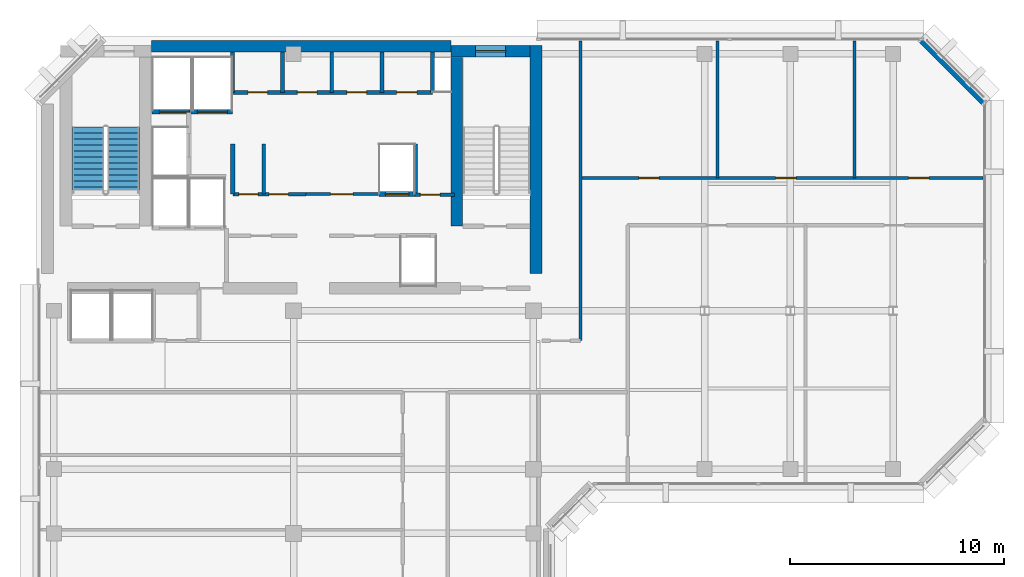
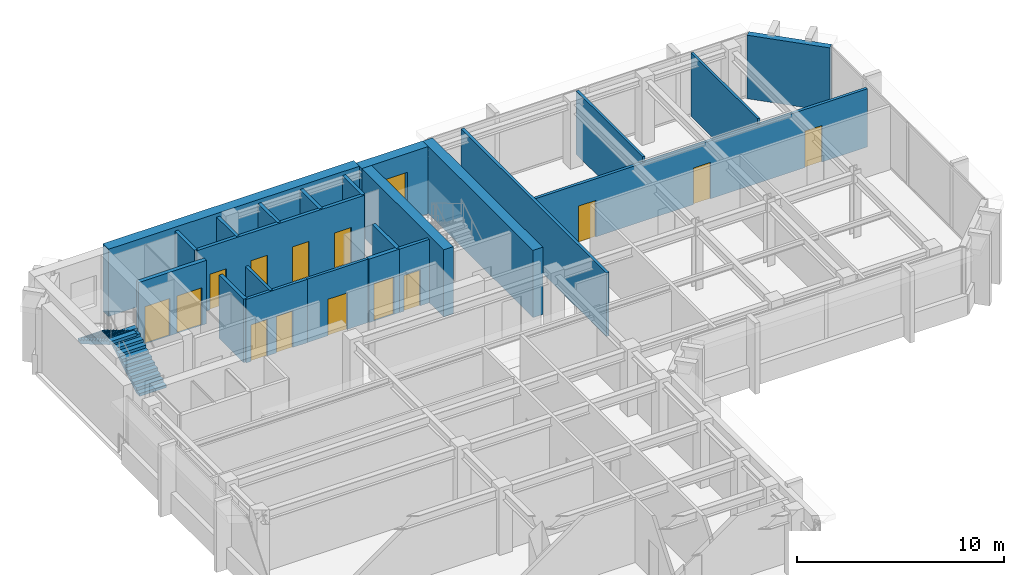
# One storey, part 8 of 13: 23 walls, 14 doors, 2 stair flights, 1 window, 15 openings, 1 element without a shape of its own.
"""IFC4 building model written with IfcOpenShell, lengths in metres."""

from ifc_helpers import new_model, si_unit, direction, frame, frame_2d, origin, place, context, subcontext, project, spatial, polyline, rectangle, outline, extrude, material, layer, layer_set, type_object, element, fill, aggregate, save


model = new_model("IFC4")

# Units and contexts
model_context = context("Model", 3, precision=1e-05, world=origin(), true_north=direction((0.0, 1.0)))
body_context = subcontext(model_context, "Body", "Model", "MODEL_VIEW")
ifc_project = project(units=[si_unit("LENGTHUNIT", "METRE"), si_unit("AREAUNIT", "SQUARE_METRE"), si_unit("VOLUMEUNIT", "CUBIC_METRE"), si_unit("PLANEANGLEUNIT", "RADIAN"), si_unit("MASSUNIT", "GRAM", prefix="KILO")], contexts=[model_context])

# Site, building, storey
site_placement = place(None, origin())
site = spatial("IfcSite", under=ifc_project, at=site_placement, CompositionType="ELEMENT")
building_placement = place(site_placement, origin())
building = spatial("IfcBuilding", under=site, at=building_placement, Name="Kefirva Bronze Tower", CompositionType="ELEMENT")
storey_placement = place(building_placement, frame((0.0, 0.0, 311.85009765625)))
storey = spatial("IfcBuildingStorey", under=building, at=storey_placement, Name="L76", CompositionType="ELEMENT", Elevation=311.85009765625)

# Walls
ifc_material_1 = material(Name="Gypsum acoustic partition")
ifc_layer_1 = layer(ifc_material_1, 0.1298828125, Name="Gypsum acoustic partition")
ifc_layer_set_1 = layer_set([ifc_layer_1], Name="Gypsum acoustic partition")
wall_type_1 = type_object("IfcWallType", Name="Acoustic Office Partition 130mm", PredefinedType="PARTITIONING", material=ifc_layer_set_1)
for number, where, z_axis, x_axis, name in (
    (1, (31.79541015625, 39.39990234375, 0.0), (0.0, 0.0, 1.0), (0.0, 1.0, 0.0), "L76 Partition W-L76-END1"),
    (2, (38.19091796875, 39.39990234375, 0.0), (0.0, 0.0, 1.0), (0.0, 1.0, 0.0), "L76 Partition W-L76-END2"),
):
    element("IfcWall", number, at=place(storey_placement, frame(where, z_axis=z_axis, x_axis=x_axis)), inside=storey, type_object=wall_type_1, Name=name, PredefinedType="PARTITIONING", context=body_context, shape_type="SweptSolid", body=[
        extrude(rectangle(XDim=6.41015625, YDim=0.1298828125, at=frame_2d((3.205078125, 0.0))), origin(), (0.0, 0.0, 1.0), 3.739990234375),
    ])

# Wall, opening, door
ifc_layer_2 = layer(ifc_material_1, 0.14990234375, Name="Gypsum acoustic partition")
ifc_layer_set_2 = layer_set([ifc_layer_2], Name="Gypsum acoustic partition")
wall_type_2 = type_object("IfcWallType", Name="Executive Suite Partition 150mm", PredefinedType="PARTITIONING", material=ifc_layer_set_2)
wall_1_placement = place(storey_placement, frame((12.580078125, 38.64990234375, 0.0), z_axis=(0.0, 0.0, 1.0), x_axis=(1.0, 0.0, 0.0)))
wall_1 = element("IfcWall", 3, at=wall_1_placement, inside=storey, type_object=wall_type_2, Name="L76 Partition W-L76-RECMP2", PredefinedType="PARTITIONING", context=body_context, shape_type="SweptSolid", body=[
    extrude(rectangle(XDim=3.3798828125, YDim=0.14990234375, at=frame_2d((1.68994140625, 0.0))), origin(), (0.0, 0.0, 1.0), 3.739990234375),
])
opening_1_placement = place(wall_1_placement, frame((2.199951171875, 0.0, 0.0), z_axis=(0.0, 0.0, 1.0), x_axis=(-1.0, 0.0, 0.0)))
opening_1 = element("IfcOpeningElement", 4, at=opening_1_placement, cuts=wall_1, Name="Opening L76-D-RECMP2", PredefinedType="OPENING", context=body_context, shape_type="SweptSolid", body=[
    extrude(rectangle(XDim=1.050048828125, YDim=2.14990234375, at=frame_2d((0.52490234375, 1.074951171875))), frame((0.0, 0.0849609375, 0.0), z_axis=(0.0, -1.0, 0.0), x_axis=(1.0, 0.0, 0.0)), (0.0, 0.0, 1.0), 0.169921875),
])
ifc_material_2 = material(Name="Acoustic hardwood oak", Category="wood")
door_type_1 = type_object("IfcDoorType", Name="Executive & Boardroom Door 1050x2150", OperationType="NOTDEFINED", PredefinedType="DOOR", material=ifc_material_2)
door_1_placement = place(opening_1_placement, origin())
door_1 = element("IfcDoor", 5, at=door_1_placement, inside=storey, type_object=door_type_1, Name="Door L76-D-RECMP2", OperationType="SINGLE_SWING_RIGHT", OverallHeight=2.14990234375, OverallWidth=1.050048828125, PredefinedType="DOOR", context=body_context, shape_type="SweptSolid", body=[
    extrude(rectangle(XDim=1.050048828125, YDim=2.14990234375, at=frame_2d((0.52490234375, 1.074951171875))), frame((0.0, 0.02490234375, 0.0), z_axis=(0.0, -1.0, 0.0), x_axis=(1.0, 0.0, 0.0)), (0.0, 0.0, 1.0), 0.050048828125),
])
fill(opening_1, door_1)

# Wall, openings, doors
ifc_material_3 = material(Name="Gypsum fireboard shaftwall")
ifc_layer_3 = layer(ifc_material_3, 0.219970703125, Name="Gypsum fireboard shaftwall")
ifc_layer_set_3 = layer_set([ifc_layer_3], Name="Gypsum fireboard shaftwall")
wall_type_3 = type_object("IfcWallType", Name="Fire-Rated Shaft Enclosure Wall 220mm", PredefinedType="PARTITIONING", material=ifc_layer_set_3)
wall_2_placement = place(storey_placement, frame((5.3798828125, 42.5, 0.0), z_axis=(0.0, 0.0, 1.0), x_axis=(1.0, 0.0, 0.0)))
wall_2 = element("IfcWall", 6, at=wall_2_placement, inside=storey, type_object=wall_type_3, Name="L76 Partition W-L76-SVS", PredefinedType="PARTITIONING", context=body_context, shape_type="SweptSolid", body=[
    extrude(rectangle(XDim=3.77001953125, YDim=0.219970703125, at=frame_2d((1.885009765625, 0.0))), origin(), (0.0, 0.0, 1.0), 3.739990234375),
])
opening_2_placement = place(wall_2_placement, frame((1.75, 0.0, 0.0), z_axis=(0.0, 0.0, 1.0), x_axis=(-1.0, 0.0, 0.0)))
opening_2 = element("IfcOpeningElement", 7, at=opening_2_placement, cuts=wall_2, Name="Opening L76-LD-SV1", PredefinedType="OPENING", context=body_context, shape_type="SweptSolid", body=[
    extrude(rectangle(XDim=1.39990234375, YDim=2.199951171875, at=frame_2d((0.699951171875, 1.10009765625))), frame((0.0, 0.1201171875, 0.0), z_axis=(0.0, -1.0, 0.0), x_axis=(1.0, 0.0, 0.0)), (0.0, 0.0, 1.0), 0.239990234375),
])
opening_3_placement = place(wall_2_placement, frame((3.52978515625, 0.0, 0.0), z_axis=(0.0, 0.0, 1.0), x_axis=(-1.0, 0.0, 0.0)))
opening_3 = element("IfcOpeningElement", 8, at=opening_3_placement, cuts=wall_2, Name="Opening L76-LD-SV2", PredefinedType="OPENING", context=body_context, shape_type="SweptSolid", body=[
    extrude(rectangle(XDim=1.39990234375, YDim=2.199951171875, at=frame_2d((0.699951171875, 1.10009765625))), frame((0.0, 0.1201171875, 0.0), z_axis=(0.0, -1.0, 0.0), x_axis=(1.0, 0.0, 0.0)), (0.0, 0.0, 1.0), 0.239990234375),
])
ifc_material_4 = material(Name="Stainless steel 316", Category="steel")
door_type_2 = type_object("IfcDoorType", Name="Goods Lift Bi-Parting Sliding Door 1400x2200", OperationType="SLIDING_TO_LEFT", PredefinedType="DOOR", material=ifc_material_4)
door_2_placement = place(opening_2_placement, origin())
door_2 = element("IfcDoor", 9, at=door_2_placement, inside=storey, type_object=door_type_2, Name="Door L76-LD-SV1", OperationType="SLIDING_TO_LEFT", OverallHeight=2.199951171875, OverallWidth=1.39990234375, PredefinedType="DOOR", context=body_context, shape_type="SweptSolid", body=[
    extrude(rectangle(XDim=1.39990234375, YDim=2.199951171875, at=frame_2d((0.699951171875, 1.10009765625))), frame((0.0, 0.02490234375, 0.0), z_axis=(0.0, -1.0, 0.0), x_axis=(1.0, 0.0, 0.0)), (0.0, 0.0, 1.0), 0.050048828125),
])
fill(opening_2, door_2)
door_3_placement = place(opening_3_placement, origin())
door_3 = element("IfcDoor", 10, at=door_3_placement, inside=storey, type_object=door_type_2, Name="Door L76-LD-SV2", OperationType="SLIDING_TO_LEFT", OverallHeight=2.199951171875, OverallWidth=1.39990234375, PredefinedType="DOOR", context=body_context, shape_type="SweptSolid", body=[
    extrude(rectangle(XDim=1.39990234375, YDim=2.199951171875, at=frame_2d((0.699951171875, 1.10009765625))), frame((0.0, 0.02490234375, 0.0), z_axis=(0.0, -1.0, 0.0), x_axis=(1.0, 0.0, 0.0)), (0.0, 0.0, 1.0), 0.050048828125),
])
fill(opening_3, door_3)

# Walls
for number, where, z_axis, x_axis, name in (
    (11, (9.159912109375, 38.64990234375, 0.0), (0.0, 0.0, 1.0), (0.0, 1.0, 0.0), "L76 Partition W-L76-LP3W"),
    (12, (17.679931640625, 38.64990234375, 0.0), (0.0, 0.0, 1.0), (0.0, 1.0, 0.0), "L76 Partition W-L76-HP2E"),
):
    element("IfcWall", number, at=place(storey_placement, frame(where, z_axis=z_axis, x_axis=x_axis)), inside=storey, type_object=wall_type_3, Name=name, PredefinedType="PARTITIONING", context=body_context, shape_type="SweptSolid", body=[
        extrude(rectangle(XDim=2.35009765625, YDim=0.199951171875, at=frame_2d((1.175048828125, 0.0))), origin(), (0.0, 0.0, 1.0), 3.739990234375),
    ])

# Wall, opening, door
wall_3_placement = place(storey_placement, frame((15.97998046875, 38.64990234375, 0.0), z_axis=(0.0, 0.0, 1.0), x_axis=(1.0, 0.0, 0.0)))
wall_3 = element("IfcWall", 13, at=wall_3_placement, inside=storey, type_object=wall_type_3, Name="L76 Partition W-L76-HPN", PredefinedType="PARTITIONING", context=body_context, shape_type="SweptSolid", body=[
    extrude(rectangle(XDim=1.719970703125, YDim=0.219970703125, at=frame_2d((0.85986328125, 0.0))), origin(), (0.0, 0.0, 1.0), 3.739990234375),
])
opening_4_placement = place(wall_3_placement, frame((0.300048828125, 0.0, 0.0)))
opening_4 = element("IfcOpeningElement", 14, at=opening_4_placement, cuts=wall_3, Name="Opening L76-LD-HP2", PredefinedType="OPENING", context=body_context, shape_type="SweptSolid", body=[
    extrude(rectangle(XDim=1.10009765625, YDim=2.199951171875, at=frame_2d((0.550048828125, 1.10009765625))), frame((0.0, 0.1201171875, 0.0), z_axis=(0.0, -1.0, 0.0), x_axis=(1.0, 0.0, 0.0)), (0.0, 0.0, 1.0), 0.239990234375),
])
door_type_3 = type_object("IfcDoorType", Name="Passenger Lift Sliding Landing Door 1100x2200", OperationType="SLIDING_TO_LEFT", PredefinedType="DOOR", material=ifc_material_4)
door_4_placement = place(opening_4_placement, origin())
door_4 = element("IfcDoor", 15, at=door_4_placement, inside=storey, type_object=door_type_3, Name="Door L76-LD-HP2", OperationType="SLIDING_TO_LEFT", OverallHeight=2.199951171875, OverallWidth=1.10009765625, PredefinedType="DOOR", context=body_context, shape_type="SweptSolid", body=[
    extrude(rectangle(XDim=1.10009765625, YDim=2.199951171875, at=frame_2d((0.550048828125, 1.10009765625))), frame((0.0, 0.02490234375, 0.0), z_axis=(0.0, -1.0, 0.0), x_axis=(1.0, 0.0, 0.0)), (0.0, 0.0, 1.0), 0.050048828125),
])
fill(opening_4, door_4)

ifc_material_5 = material(Name="Gypsum fireboard barrier")
ifc_layer_4 = layer(ifc_material_5, 0.199951171875, Name="Gypsum fireboard barrier")
ifc_layer_set_4 = layer_set([ifc_layer_4], Name="Gypsum fireboard barrier")
wall_type_4 = type_object("IfcWallType", Name="Firefighting Lobby Barrier Wall 200mm", PredefinedType="PARTITIONING", material=ifc_layer_set_4)
wall_4_placement = place(storey_placement, frame((17.679931640625, 38.6201171875, 0.0), z_axis=(0.0, 0.0, 1.0), x_axis=(1.0, 0.0, 0.0)))
wall_4 = element("IfcWall", 16, at=wall_4_placement, inside=storey, type_object=wall_type_4, Name="L76 Partition W-L76-CPASS", PredefinedType="PARTITIONING", context=body_context, shape_type="SweptSolid", body=[
    extrude(rectangle(XDim=1.840087890625, YDim=0.179931640625, at=frame_2d((0.919921875, 0.0))), origin(), (0.0, 0.0, 1.0), 3.739990234375),
])
opening_5_placement = place(wall_4_placement, frame((0.239990234375, 0.0, 0.0)))
opening_5 = element("IfcOpeningElement", 17, at=opening_5_placement, cuts=wall_4, Name="Opening L76-D-CPAS", PredefinedType="OPENING", context=body_context, shape_type="SweptSolid", body=[
    extrude(rectangle(XDim=0.919921875, YDim=2.10009765625, at=frame_2d((0.4599609375, 1.050048828125))), frame((0.0, 0.10009765625, 0.0), z_axis=(0.0, -1.0, 0.0), x_axis=(1.0, 0.0, 0.0)), (0.0, 0.0, 1.0), 0.199951171875),
])
ifc_material_6 = material(Name="Moisture-resistant timber", Category="wood")
door_type_4 = type_object("IfcDoorType", Name="Accessible Sanitary & WC Door 920x2100", OperationType="NOTDEFINED", PredefinedType="DOOR", material=ifc_material_6)
door_5_placement = place(opening_5_placement, origin())
door_5 = element("IfcDoor", 18, at=door_5_placement, inside=storey, type_object=door_type_4, Name="Door L76-D-CPAS", OperationType="SINGLE_SWING_RIGHT", OverallHeight=2.10009765625, OverallWidth=0.919921875, PredefinedType="DOOR", context=body_context, shape_type="SweptSolid", body=[
    extrude(rectangle(XDim=0.919921875, YDim=2.10009765625, at=frame_2d((0.4599609375, 1.050048828125))), frame((0.0, 0.02490234375, 0.0), z_axis=(0.0, -1.0, 0.0), x_axis=(1.0, 0.0, 0.0)), (0.0, 0.0, 1.0), 0.050048828125),
])
fill(opening_5, door_5)

# Wall
ifc_material_7 = material(Name="Precast concrete C40/50", Category="concrete")
ifc_layer_5 = layer(ifc_material_7, 0.320068359375, Name="Precast concrete C40/50")
ifc_layer_set_5 = layer_set([ifc_layer_5], Name="Precast concrete C40/50")
wall_type_5 = type_object("IfcWallType", Name="Precast Insulated Exterior Wall 320mm", PredefinedType="SOLIDWALL", material=ifc_layer_set_5)
wall_5_placement = place(storey_placement, frame((44.248046875, 42.92578125, 0.0), z_axis=(0.0, 0.0, 1.0), x_axis=(-0.707136318428, 0.707077242712, 0.0)))
element("IfcWall", 19, at=wall_5_placement, inside=storey, type_object=wall_type_5, Name="L76 Exterior Facade Wall 8", PredefinedType="SOLIDWALL", context=body_context, shape_type="SweptSolid", body=[
    extrude(rectangle(XDim=4.132568359375, YDim=0.320068359375, at=frame_2d((2.06640625, 0.0))), origin(), (0.0, 0.0, 1.0), 3.739990234375),
])

# Wall, openings, doors
ifc_layer_6 = layer(ifc_material_1, 0.159912109375, Name="Gypsum acoustic partition")
ifc_layer_set_6 = layer_set([ifc_layer_6], Name="Gypsum acoustic partition")
wall_type_6 = type_object("IfcWallType", Name="Protected Corridor Partition 160mm", PredefinedType="PARTITIONING", material=ifc_layer_set_6)
wall_6_placement = place(storey_placement, frame((9.159912109375, 38.64990234375, 0.0), z_axis=(0.0, 0.0, 1.0), x_axis=(1.0, 0.0, 0.0)))
wall_6 = element("IfcWall", 20, at=wall_6_placement, inside=storey, type_object=wall_type_6, Name="L76 Partition W-L76-RECLP2", PredefinedType="PARTITIONING", context=body_context, shape_type="SweptSolid", body=[
    extrude(rectangle(XDim=3.420166015625, YDim=0.159912109375, at=frame_2d((1.7099609375, 0.0))), origin(), (0.0, 0.0, 1.0), 3.739990234375),
])
opening_6_placement = place(wall_6_placement, frame((1.179931640625, 0.0, 0.0), z_axis=(0.0, 0.0, 1.0), x_axis=(-1.0, 0.0, 0.0)))
opening_6 = element("IfcOpeningElement", 21, at=opening_6_placement, cuts=wall_6, Name="Opening L76-D-RECLP2A", PredefinedType="OPENING", context=body_context, shape_type="SweptSolid", body=[
    extrude(rectangle(XDim=0.89990234375, YDim=2.14990234375, at=frame_2d((0.449951171875, 1.074951171875))), frame((0.0, 0.08984375, 0.0), z_axis=(0.0, -1.0, 0.0), x_axis=(1.0, 0.0, 0.0)), (0.0, 0.0, 1.0), 0.179931640625),
])
opening_7_placement = place(wall_6_placement, frame((2.599853515625, 0.0, 0.0), z_axis=(0.0, 0.0, 1.0), x_axis=(-1.0, 0.0, 0.0)))
opening_7 = element("IfcOpeningElement", 22, at=opening_7_placement, cuts=wall_6, Name="Opening L76-D-RECLP2B", PredefinedType="OPENING", context=body_context, shape_type="SweptSolid", body=[
    extrude(rectangle(XDim=0.89990234375, YDim=2.14990234375, at=frame_2d((0.449951171875, 1.074951171875))), frame((0.0, 0.08984375, 0.0), z_axis=(0.0, -1.0, 0.0), x_axis=(1.0, 0.0, 0.0)), (0.0, 0.0, 1.0), 0.179931640625),
])
ifc_material_8 = material(Name="Painted galvanized steel", Category="steel")
door_type_5 = type_object("IfcDoorType", Name="Core Archive & Server Fire Door 900x2150 FD60S", OperationType="NOTDEFINED", PredefinedType="DOOR", material=ifc_material_8)
door_6_placement = place(opening_6_placement, origin())
door_6 = element("IfcDoor", 23, at=door_6_placement, inside=storey, type_object=door_type_5, Name="Door L76-D-RECLP2A", OperationType="SINGLE_SWING_LEFT", OverallHeight=2.14990234375, OverallWidth=0.89990234375, PredefinedType="DOOR", context=body_context, shape_type="SweptSolid", body=[
    extrude(rectangle(XDim=0.89990234375, YDim=2.14990234375, at=frame_2d((0.449951171875, 1.074951171875))), frame((0.0, 0.02490234375, 0.0), z_axis=(0.0, -1.0, 0.0), x_axis=(1.0, 0.0, 0.0)), (0.0, 0.0, 1.0), 0.050048828125),
])
fill(opening_6, door_6)
door_7_placement = place(opening_7_placement, origin())
door_7 = element("IfcDoor", 24, at=door_7_placement, inside=storey, type_object=door_type_5, Name="Door L76-D-RECLP2B", OperationType="SINGLE_SWING_RIGHT", OverallHeight=2.14990234375, OverallWidth=0.89990234375, PredefinedType="DOOR", context=body_context, shape_type="SweptSolid", body=[
    extrude(rectangle(XDim=0.89990234375, YDim=2.14990234375, at=frame_2d((0.449951171875, 1.074951171875))), frame((0.0, 0.02490234375, 0.0), z_axis=(0.0, -1.0, 0.0), x_axis=(1.0, 0.0, 0.0)), (0.0, 0.0, 1.0), 0.050048828125),
])
fill(opening_7, door_7)

# Walls
wall_7_placement = place(storey_placement, frame((10.60009765625, 38.64990234375, 0.0), z_axis=(0.0, 0.0, 1.0), x_axis=(0.0, 1.0, 0.0)))
element("IfcWall", 25, at=wall_7_placement, inside=storey, type_object=wall_type_6, Name="L76 Partition W-L76-RECLP2D", PredefinedType="PARTITIONING", context=body_context, shape_type="SweptSolid", body=[
    extrude(rectangle(XDim=2.35009765625, YDim=0.159912109375, at=frame_2d((1.175048828125, 0.0))), origin(), (0.0, 0.0, 1.0), 3.739990234375),
])
wall_8_placement = place(storey_placement, frame((25.39990234375, 31.800048828125, 0.0), z_axis=(0.0, 0.0, 1.0), x_axis=(0.0, 1.0, 0.0)))
element("IfcWall", 26, at=wall_8_placement, inside=storey, type_object=wall_type_6, Name="L76 Partition W-L76-ELKW", PredefinedType="PARTITIONING", context=body_context, shape_type="SweptSolid", body=[
    extrude(rectangle(XDim=14.010009765625, YDim=0.159912109375, at=frame_2d((7.0048828125, 0.0))), origin(), (0.0, 0.0, 1.0), 3.739990234375),
])

# Wall, openings, doors
wall_9_placement = place(storey_placement, frame((25.39990234375, 39.39990234375, 0.0), z_axis=(0.0, 0.0, 1.0), x_axis=(1.0, 0.0, 0.0)))
wall_9 = element("IfcWall", 27, at=wall_9_placement, inside=storey, type_object=wall_type_6, Name="L76 Partition W-L76-ECN", PredefinedType="PARTITIONING", context=body_context, shape_type="SweptSolid", body=[
    extrude(rectangle(XDim=18.81005859375, YDim=0.159912109375, at=frame_2d((9.405029296875, 0.0))), origin(), (0.0, 0.0, 1.0), 3.4248046875),
])
opening_8_placement = place(wall_9_placement, frame((2.72265625, 0.0, 0.0)))
opening_8 = element("IfcOpeningElement", 28, at=opening_8_placement, cuts=wall_9, Name="Opening L76-D-EN1", PredefinedType="OPENING", context=body_context, shape_type="SweptSolid", body=[
    extrude(rectangle(XDim=0.949951171875, YDim=2.14990234375, at=frame_2d((0.47509765625, 1.074951171875))), frame((0.0, 0.08984375, 0.0), z_axis=(0.0, -1.0, 0.0), x_axis=(1.0, 0.0, 0.0)), (0.0, 0.0, 1.0), 0.179931640625),
])
opening_9_placement = place(wall_9_placement, frame((9.1181640625, 0.0, 0.0)))
opening_9 = element("IfcOpeningElement", 29, at=opening_9_placement, cuts=wall_9, Name="Opening L76-D-EN2", PredefinedType="OPENING", context=body_context, shape_type="SweptSolid", body=[
    extrude(rectangle(XDim=0.949951171875, YDim=2.14990234375, at=frame_2d((0.47509765625, 1.074951171875))), frame((0.0, 0.08984375, 0.0), z_axis=(0.0, -1.0, 0.0), x_axis=(1.0, 0.0, 0.0)), (0.0, 0.0, 1.0), 0.179931640625),
])
opening_10_placement = place(wall_9_placement, frame((15.325439453125, 0.0, 0.0)))
opening_10 = element("IfcOpeningElement", 30, at=opening_10_placement, cuts=wall_9, Name="Opening L76-D-EN3", PredefinedType="OPENING", context=body_context, shape_type="SweptSolid", body=[
    extrude(rectangle(XDim=0.949951171875, YDim=2.14990234375, at=frame_2d((0.47509765625, 1.074951171875))), frame((0.0, 0.08984375, 0.0), z_axis=(0.0, -1.0, 0.0), x_axis=(1.0, 0.0, 0.0)), (0.0, 0.0, 1.0), 0.179931640625),
])
door_type_6 = type_object("IfcDoorType", Name="Office & Meeting Room Door 950x2150", OperationType="NOTDEFINED", PredefinedType="DOOR", material=ifc_material_2)
door_8_placement = place(opening_8_placement, origin())
door_8 = element("IfcDoor", 31, at=door_8_placement, inside=storey, type_object=door_type_6, Name="Door L76-D-EN1", OperationType="SINGLE_SWING_RIGHT", OverallHeight=2.14990234375, OverallWidth=0.949951171875, PredefinedType="DOOR", context=body_context, shape_type="SweptSolid", body=[
    extrude(rectangle(XDim=0.949951171875, YDim=2.14990234375, at=frame_2d((0.47509765625, 1.074951171875))), frame((0.0, 0.02490234375, 0.0), z_axis=(0.0, -1.0, 0.0), x_axis=(1.0, 0.0, 0.0)), (0.0, 0.0, 1.0), 0.050048828125),
])
fill(opening_8, door_8)
door_9_placement = place(opening_9_placement, origin())
door_9 = element("IfcDoor", 32, at=door_9_placement, inside=storey, type_object=door_type_6, Name="Door L76-D-EN2", OperationType="SINGLE_SWING_LEFT", OverallHeight=2.14990234375, OverallWidth=0.949951171875, PredefinedType="DOOR", context=body_context, shape_type="SweptSolid", body=[
    extrude(rectangle(XDim=0.949951171875, YDim=2.14990234375, at=frame_2d((0.47509765625, 1.074951171875))), frame((0.0, 0.02490234375, 0.0), z_axis=(0.0, -1.0, 0.0), x_axis=(1.0, 0.0, 0.0)), (0.0, 0.0, 1.0), 0.050048828125),
])
fill(opening_9, door_9)
door_10_placement = place(opening_10_placement, origin())
door_10 = element("IfcDoor", 33, at=door_10_placement, inside=storey, type_object=door_type_6, Name="Door L76-D-EN3", OperationType="SINGLE_SWING_RIGHT", OverallHeight=2.14990234375, OverallWidth=0.949951171875, PredefinedType="DOOR", context=body_context, shape_type="SweptSolid", body=[
    extrude(rectangle(XDim=0.949951171875, YDim=2.14990234375, at=frame_2d((0.47509765625, 1.074951171875))), frame((0.0, 0.02490234375, 0.0), z_axis=(0.0, -1.0, 0.0), x_axis=(1.0, 0.0, 0.0)), (0.0, 0.0, 1.0), 0.050048828125),
])
fill(opening_10, door_10)

# Wall
ifc_material_9 = material(Name="Concrete C50/60", Category="concrete")
ifc_layer_7 = layer(ifc_material_9, 0.550048828125, Name="Concrete C50/60")
ifc_layer_set_7 = layer_set([ifc_layer_7], Name="Concrete C50/60")
wall_type_7 = type_object("IfcWallType", Name="RC Rear Core Exterior Wall 550mm", PredefinedType="SHEAR", material=ifc_layer_set_7)
wall_10_placement = place(storey_placement, frame((5.360107421875, 45.550048828125, 0.0), z_axis=(0.0, 0.0, 1.0), x_axis=(1.0, 0.0, 0.0)))
element("IfcWall", 34, at=wall_10_placement, inside=storey, type_object=wall_type_7, Name="L76 Rear Core North Shear Wall", PredefinedType="SHEAR", context=body_context, shape_type="SweptSolid", body=[
    extrude(rectangle(XDim=13.97998046875, YDim=0.550048828125, at=frame_2d((6.989990234375, 0.0))), origin(), (0.0, 0.0, 1.0), 3.9599609375),
])

# Wall, opening, window
wall_11_placement = place(storey_placement, frame((19.35009765625, 45.320068359375, 0.0), z_axis=(0.0, 0.0, 1.0), x_axis=(1.0, 0.0, 0.0)))
wall_11 = element("IfcWall", 35, at=wall_11_placement, inside=storey, type_object=wall_type_7, Name="L76 Stair 2 North Shear Wall", PredefinedType="SHEAR", context=body_context, shape_type="SweptSolid", body=[
    extrude(rectangle(XDim=3.68994140625, YDim=0.550048828125, at=frame_2d((1.844970703125, 0.0))), origin(), (0.0, 0.0, 1.0), 3.9599609375),
])
opening_11_placement = place(wall_11_placement, frame((1.14990234375, 0.0, 1.050048828125)))
opening_11 = element("IfcOpeningElement", 36, at=opening_11_placement, cuts=wall_11, Name="Opening WN-03", PredefinedType="OPENING", context=body_context, shape_type="SweptSolid", body=[
    extrude(rectangle(XDim=1.39990234375, YDim=1.800048828125, at=frame_2d((0.699951171875, 0.89990234375))), frame((0.0, 0.28515625, 0.0), z_axis=(0.0, -1.0, 0.0), x_axis=(1.0, 0.0, 0.0)), (0.0, 0.0, 1.0), 0.570068359375),
])
ifc_material_10 = material(Name="Laminated low-E double glazing", Category="glass")
window_type = type_object("IfcWindowType", Name="Rear-Core Stair Daylight Window 1400x1800", PartitioningType="SINGLE_PANEL", PredefinedType="WINDOW", material=ifc_material_10)
window_placement = place(opening_11_placement, origin())
window = element("IfcWindow", 37, at=window_placement, inside=storey, type_object=window_type, Name="L76 Stair 2 Daylight Window", OverallHeight=1.800048828125, OverallWidth=1.39990234375, PartitioningType="SINGLE_PANEL", PredefinedType="WINDOW", context=body_context, shape_type="SweptSolid", body=[
    extrude(rectangle(XDim=1.39990234375, YDim=1.800048828125, at=frame_2d((0.699951171875, 0.89990234375))), frame((0.0, 0.030029296875, 0.0), z_axis=(0.0, -1.0, 0.0), x_axis=(1.0, 0.0, 0.0)), (0.0, 0.0, 1.0), 0.06005859375),
])
fill(opening_11, window)

# Walls
ifc_layer_8 = layer(ifc_material_9, 0.550048828125, Name="Concrete C50/60")
ifc_layer_set_8 = layer_set([ifc_layer_8], Name="Concrete C50/60")
wall_type_8 = type_object("IfcWallType", Name="RC Rear Core Interior Wall 550mm", PredefinedType="SHEAR", material=ifc_layer_set_8)
wall_12_placement = place(storey_placement, frame((23.324951171875, 34.949951171875, 0.0), z_axis=(0.0, 0.0, 1.0), x_axis=(0.0, 1.0, 0.0)))
element("IfcWall", 38, at=wall_12_placement, inside=storey, type_object=wall_type_8, Name="L76 Rear Core East Shear Wall", PredefinedType="SHEAR", context=body_context, shape_type="SweptSolid", body=[
    extrude(rectangle(XDim=10.64013671875, YDim=0.550048828125, at=frame_2d((5.320068359375, 0.0))), origin(), (0.0, 0.0, 1.0), 3.9599609375),
])
wall_13_placement = place(storey_placement, frame((19.6201171875, 37.14990234375, 0.0), z_axis=(0.0, 0.0, 1.0), x_axis=(0.0, 1.0, 0.0)))
element("IfcWall", 39, at=wall_13_placement, inside=storey, type_object=wall_type_8, Name="L76 Stair 2 West Shear Wall", PredefinedType="SHEAR", context=body_context, shape_type="SweptSolid", body=[
    extrude(rectangle(XDim=7.89013671875, YDim=0.550048828125, at=frame_2d((3.945068359375, 0.0))), origin(), (0.0, 0.0, 1.0), 3.9599609375),
])

# Wall, openings, doors
ifc_material_11 = material(Name="Moisture-resistant partition")
ifc_layer_9 = layer(ifc_material_11, 0.179931640625, Name="Moisture-resistant partition")
ifc_layer_set_9 = layer_set([ifc_layer_9], Name="Moisture-resistant partition")
wall_type_9 = type_object("IfcWallType", Name="Sanitary Plumbing Chase Wall 180mm", PredefinedType="PLUMBINGWALL", material=ifc_layer_set_9)
wall_14_placement = place(storey_placement, frame((9.14990234375, 43.39990234375, 0.0), z_axis=(0.0, 0.0, 1.0), x_axis=(1.0, 0.0, 0.0)))
wall_14 = element("IfcWall", 40, at=wall_14_placement, inside=storey, type_object=wall_type_9, Name="L76 Partition W-L76-SVCS", PredefinedType="PLUMBINGWALL", context=body_context, shape_type="SweptSolid", body=[
    extrude(rectangle(XDim=9.330078125, YDim=0.179931640625, at=frame_2d((4.6650390625, 0.0))), origin(), (0.0, 0.0, 1.0), 3.739990234375),
])
opening_12_placement = place(wall_14_placement, frame((0.719970703125, 0.0, 0.0)))
opening_12 = element("IfcOpeningElement", 41, at=opening_12_placement, cuts=wall_14, Name="Opening L76-D-CSVC1", PredefinedType="OPENING", context=body_context, shape_type="SweptSolid", body=[
    extrude(rectangle(XDim=0.919921875, YDim=2.10009765625, at=frame_2d((0.4599609375, 1.050048828125))), frame((0.0, 0.10009765625, 0.0), z_axis=(0.0, -1.0, 0.0), x_axis=(1.0, 0.0, 0.0)), (0.0, 0.0, 1.0), 0.199951171875),
])
opening_13_placement = place(wall_14_placement, frame((3.02001953125, 0.0, 0.0)))
opening_13 = element("IfcOpeningElement", 42, at=opening_13_placement, cuts=wall_14, Name="Opening L76-D-CSVC2", PredefinedType="OPENING", context=body_context, shape_type="SweptSolid", body=[
    extrude(rectangle(XDim=0.919921875, YDim=2.10009765625, at=frame_2d((0.4599609375, 1.050048828125))), frame((0.0, 0.10009765625, 0.0), z_axis=(0.0, -1.0, 0.0), x_axis=(1.0, 0.0, 0.0)), (0.0, 0.0, 1.0), 0.199951171875),
])
opening_14_placement = place(wall_14_placement, frame((5.340087890625, 0.0, 0.0)))
opening_14 = element("IfcOpeningElement", 43, at=opening_14_placement, cuts=wall_14, Name="Opening L76-D-CSVC3", PredefinedType="OPENING", context=body_context, shape_type="SweptSolid", body=[
    extrude(rectangle(XDim=0.919921875, YDim=2.10009765625, at=frame_2d((0.4599609375, 1.050048828125))), frame((0.0, 0.10009765625, 0.0), z_axis=(0.0, -1.0, 0.0), x_axis=(1.0, 0.0, 0.0)), (0.0, 0.0, 1.0), 0.199951171875),
])
opening_15_placement = place(wall_14_placement, frame((7.659912109375, 0.0, 0.0)))
opening_15 = element("IfcOpeningElement", 44, at=opening_15_placement, cuts=wall_14, Name="Opening L76-D-CSVC4", PredefinedType="OPENING", context=body_context, shape_type="SweptSolid", body=[
    extrude(rectangle(XDim=0.949951171875, YDim=2.10009765625, at=frame_2d((0.47509765625, 1.050048828125))), frame((0.0, 0.10009765625, 0.0), z_axis=(0.0, -1.0, 0.0), x_axis=(1.0, 0.0, 0.0)), (0.0, 0.0, 1.0), 0.199951171875),
])
door_11_placement = place(opening_12_placement, origin())
door_11 = element("IfcDoor", 45, at=door_11_placement, inside=storey, type_object=door_type_4, Name="Door L76-D-CSVC1", OperationType="SINGLE_SWING_LEFT", OverallHeight=2.10009765625, OverallWidth=0.919921875, PredefinedType="DOOR", context=body_context, shape_type="SweptSolid", body=[
    extrude(rectangle(XDim=0.919921875, YDim=2.10009765625, at=frame_2d((0.4599609375, 1.050048828125))), frame((0.0, 0.02490234375, 0.0), z_axis=(0.0, -1.0, 0.0), x_axis=(1.0, 0.0, 0.0)), (0.0, 0.0, 1.0), 0.050048828125),
])
fill(opening_12, door_11)
door_12_placement = place(opening_13_placement, origin())
door_12 = element("IfcDoor", 46, at=door_12_placement, inside=storey, type_object=door_type_4, Name="Door L76-D-CSVC2", OperationType="SINGLE_SWING_RIGHT", OverallHeight=2.10009765625, OverallWidth=0.919921875, PredefinedType="DOOR", context=body_context, shape_type="SweptSolid", body=[
    extrude(rectangle(XDim=0.919921875, YDim=2.10009765625, at=frame_2d((0.4599609375, 1.050048828125))), frame((0.0, 0.02490234375, 0.0), z_axis=(0.0, -1.0, 0.0), x_axis=(1.0, 0.0, 0.0)), (0.0, 0.0, 1.0), 0.050048828125),
])
fill(opening_13, door_12)
door_13_placement = place(opening_14_placement, origin())
door_13 = element("IfcDoor", 47, at=door_13_placement, inside=storey, type_object=door_type_4, Name="Door L76-D-CSVC3", OperationType="SINGLE_SWING_LEFT", OverallHeight=2.10009765625, OverallWidth=0.919921875, PredefinedType="DOOR", context=body_context, shape_type="SweptSolid", body=[
    extrude(rectangle(XDim=0.919921875, YDim=2.10009765625, at=frame_2d((0.4599609375, 1.050048828125))), frame((0.0, 0.02490234375, 0.0), z_axis=(0.0, -1.0, 0.0), x_axis=(1.0, 0.0, 0.0)), (0.0, 0.0, 1.0), 0.050048828125),
])
fill(opening_14, door_13)
door_type_7 = type_object("IfcDoorType", Name="Riser & Plant Shaft Fire Door 950x2100 FD60S", OperationType="NOTDEFINED", PredefinedType="DOOR", material=ifc_material_8)
door_14_placement = place(opening_15_placement, origin())
door_14 = element("IfcDoor", 48, at=door_14_placement, inside=storey, type_object=door_type_7, Name="Door L76-D-CSVC4", OperationType="SINGLE_SWING_RIGHT", OverallHeight=2.10009765625, OverallWidth=0.949951171875, PredefinedType="DOOR", context=body_context, shape_type="SweptSolid", body=[
    extrude(rectangle(XDim=0.949951171875, YDim=2.10009765625, at=frame_2d((0.47509765625, 1.050048828125))), frame((0.0, 0.02490234375, 0.0), z_axis=(0.0, -1.0, 0.0), x_axis=(1.0, 0.0, 0.0)), (0.0, 0.0, 1.0), 0.050048828125),
])
fill(opening_15, door_14)

# Walls
for number, where, z_axis, x_axis, name in (
    (49, (9.14990234375, 43.39990234375, 0.0), (0.0, 0.0, 1.0), (0.0, 1.0, 0.0), "L76 Partition W-L76-SVCW"),
    (50, (18.47998046875, 43.39990234375, 0.0), (0.0, 0.0, 1.0), (0.0, 1.0, 0.0), "L76 Partition W-L76-SVCE"),
    (51, (11.47998046875, 43.39990234375, 0.0), (0.0, 0.0, 1.0), (0.0, 1.0, 0.0), "L76 Partition W-L76-CSVD-1"),
    (52, (13.780029296875, 43.39990234375, 0.0), (0.0, 0.0, 1.0), (0.0, 1.0, 0.0), "L76 Partition W-L76-CSVD-2"),
    (53, (16.1201171875, 43.39990234375, 0.0), (0.0, 0.0, 1.0), (0.0, 1.0, 0.0), "L76 Partition W-L76-CSVD-3"),
):
    element("IfcWall", number, at=place(storey_placement, frame(where, z_axis=z_axis, x_axis=x_axis)), inside=storey, type_object=wall_type_9, Name=name, PredefinedType="PLUMBINGWALL", context=body_context, shape_type="SweptSolid", body=[
        extrude(rectangle(XDim=1.880126953125, YDim=0.179931640625, at=frame_2d((0.93994140625, 0.0))), origin(), (0.0, 0.0, 1.0), 3.739990234375),
    ])

# Stair, stair flights
ifc_material_12 = material(Name="Concrete C40/50", Category="concrete")
stair_type = type_object("IfcStairType", Name="RC Dogleg Protected Stair 24R", PredefinedType="HALF_TURN_STAIR", material=ifc_material_12)
stair_placement = place(storey_placement, origin())
stair = element("IfcStair", 54, at=stair_placement, inside=storey, type_object=stair_type, Name="L76 Protected Exit Stair 1", PredefinedType="HALF_TURN_STAIR")
stair_flight_type = type_object("IfcStairFlightType", Name="RC Straight Stair Flight 24R", PredefinedType="STRAIGHT", material=ifc_material_12)
stair_flight_1_placement = place(storey_placement, frame((4.050048828125, 38.699951171875, 0.0), z_axis=(0.0, 0.0, 1.0), x_axis=(0.0, 1.0, 0.0)))
stair_flight_1 = element("IfcStairFlight", 55, at=stair_flight_1_placement, type_object=stair_flight_type, Name="ST-1 flight 1", NumberOfRisers=12, NumberOfTreads=11, PredefinedType="STRAIGHT", RiserHeight=0.165, TreadLength=0.28, context=body_context, shape_type="SweptSolid", body=[
    extrude(outline(polyline([(0.0, 0.0), (0.0, 0.1650390625), (0.280029296875, 0.1650390625), (0.280029296875, 0.330078125), (0.56005859375, 0.330078125), (0.56005859375, 0.4951171875), (0.840087890625, 0.4951171875), (0.840087890625, 0.659912109375), (1.1201171875, 0.659912109375), (1.1201171875, 0.824951171875), (1.39990234375, 0.824951171875), (1.39990234375, 0.989990234375), (1.679931640625, 0.989990234375), (1.679931640625, 1.155029296875), (1.9599609375, 1.155029296875), (1.9599609375, 1.320068359375), (2.239990234375, 1.320068359375), (2.239990234375, 1.485107421875), (2.52001953125, 1.485107421875), (2.52001953125, 1.64990234375), (2.800048828125, 1.64990234375), (2.800048828125, 1.81494140625), (3.080078125, 1.81494140625), (3.080078125, 1.97998046875), (3.080078125, 1.64111328125), (0.295166015625, 0.0), (0.0, 0.0)])), frame((0.0, 0.75, 0.0), z_axis=(0.0, -1.0, 0.0), x_axis=(1.0, 0.0, 0.0)), (0.0, 0.0, 1.0), 1.5),
])
stair_flight_2_placement = place(storey_placement, frame((2.39990234375, 41.780029296875, 1.97998046875), z_axis=(0.0, 0.0, 1.0), x_axis=(0.0, -1.0, 0.0)))
stair_flight_2 = element("IfcStairFlight", 56, at=stair_flight_2_placement, type_object=stair_flight_type, Name="ST-1 flight 2", NumberOfRisers=12, NumberOfTreads=11, PredefinedType="STRAIGHT", RiserHeight=0.165, TreadLength=0.28, context=body_context, shape_type="SweptSolid", body=[
    extrude(outline(polyline([(0.0, 0.0), (0.0, 0.1650390625), (0.280029296875, 0.1650390625), (0.280029296875, 0.330078125), (0.56005859375, 0.330078125), (0.56005859375, 0.4951171875), (0.840087890625, 0.4951171875), (0.840087890625, 0.659912109375), (1.1201171875, 0.659912109375), (1.1201171875, 0.824951171875), (1.39990234375, 0.824951171875), (1.39990234375, 0.989990234375), (1.679931640625, 0.989990234375), (1.679931640625, 1.155029296875), (1.9599609375, 1.155029296875), (1.9599609375, 1.320068359375), (2.239990234375, 1.320068359375), (2.239990234375, 1.485107421875), (2.52001953125, 1.485107421875), (2.52001953125, 1.64990234375), (2.800048828125, 1.64990234375), (2.800048828125, 1.81494140625), (3.080078125, 1.81494140625), (3.080078125, 1.97998046875), (3.080078125, 1.64111328125), (0.295166015625, 0.0), (0.0, 0.0)])), frame((0.0, 0.75, 0.0), z_axis=(0.0, -1.0, 0.0), x_axis=(1.0, 0.0, 0.0)), (0.0, 0.0, 1.0), 1.5),
])
aggregate(stair, [stair_flight_1, stair_flight_2])

save(model, "model.ifc")
